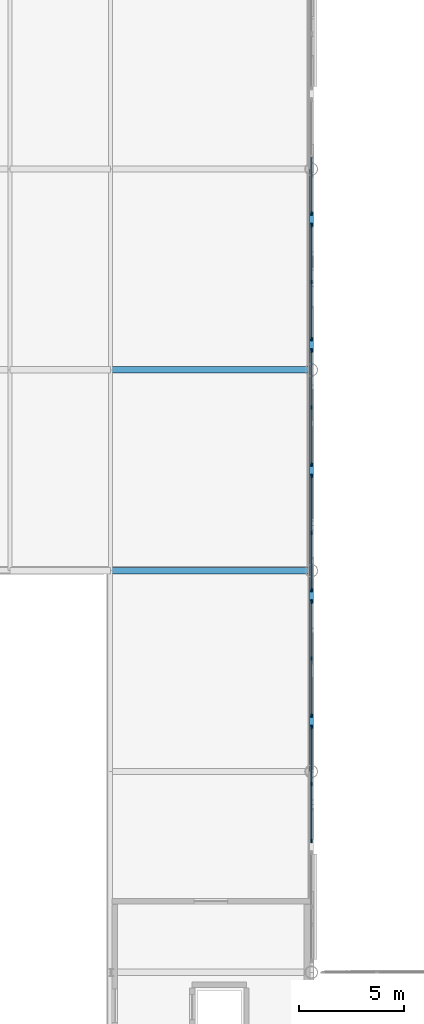
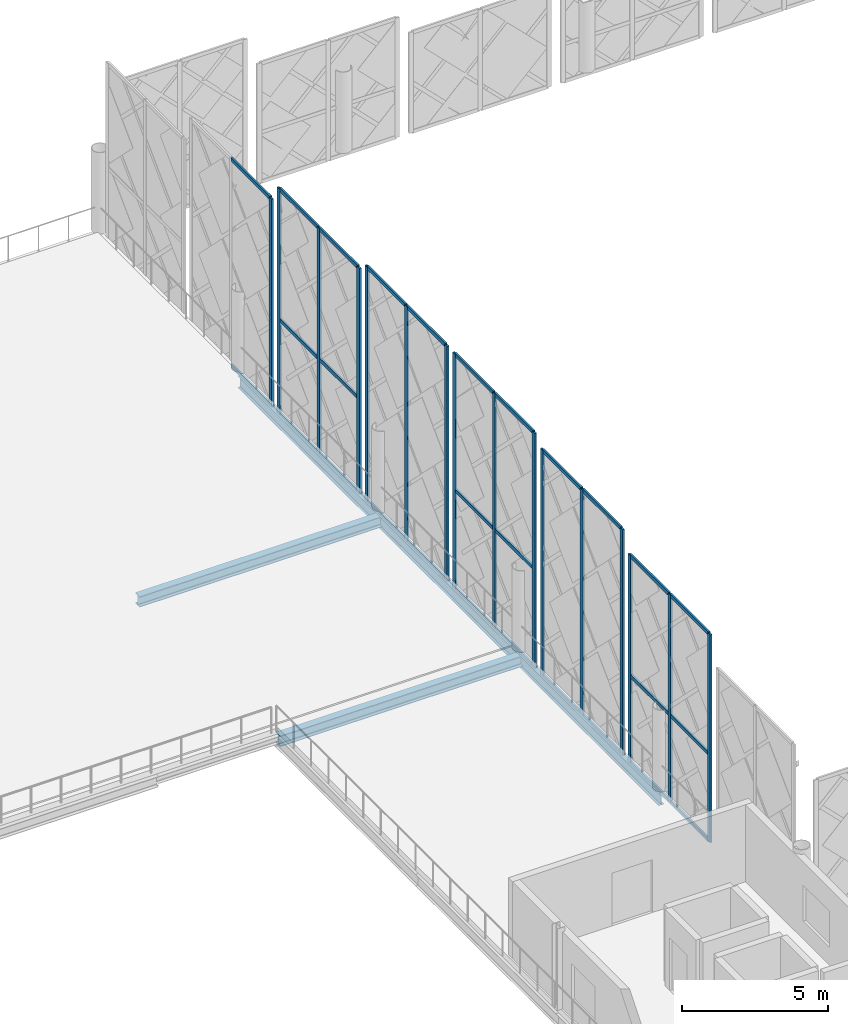
# One storey, part 20 of 53: 44 members, 5 beams, 6 elements without a shape of their own.
"""IFC4 building model written with IfcOpenShell, lengths in metres."""

from ifc_helpers import new_model, si_unit, direction, frame, origin, origin_2d, place, context, subcontext, project, spatial, rectangle, i_section, extrude, material, layer, layer_set, material_profile, profile_set, type_object, element, aggregate, save


model = new_model("IFC4")

# Units and contexts
model_context = context("Model", 3, precision=1e-05, world=origin(), true_north=direction((0.0, 1.0)))
body_context = subcontext(model_context, "Body", "Model", "MODEL_VIEW")
ifc_project = project(units=[si_unit("LENGTHUNIT", "METRE"), si_unit("AREAUNIT", "SQUARE_METRE"), si_unit("VOLUMEUNIT", "CUBIC_METRE"), si_unit("PLANEANGLEUNIT", "RADIAN"), si_unit("MASSUNIT", "GRAM", prefix="KILO")], contexts=[model_context])

# Site, building, storey
site_placement = place(None, origin())
site = spatial("IfcSite", under=ifc_project, at=site_placement, CompositionType="ELEMENT")
building_placement = place(site_placement, origin())
building = spatial("IfcBuilding", under=site, at=building_placement, Name="Zevrakil Square Congress Hotel", CompositionType="ELEMENT")
storey_placement = place(building_placement, frame((0.0, 0.0, 14.699951171875)))
storey = spatial("IfcBuildingStorey", under=building, at=storey_placement, Name="L04", CompositionType="ELEMENT", Elevation=14.699951171875)

# Beams
ifc_material_1 = material(Name="Steel S355", Category="steel")
ifc_material_profile_1 = material_profile(ifc_material_1, i_section(OverallWidth=0.300048828125, OverallDepth=0.43994140625, WebThickness=0.011474609375, FlangeThickness=0.02099609375, FilletRadius=0.027099609375, at=origin_2d()), Name="HEA 450")
ifc_profile_set_1 = profile_set([ifc_material_profile_1], Name="Steel S355")
beam_type_1 = type_object("IfcBeamType", Name="BM-HEA450", PredefinedType="BEAM", material=ifc_profile_set_1)
for number, where, z_axis, x_axis, name in (
    (1, (108.0, 84.0, -0.47998046875), (1.0, 0.0, 0.0), (0.0, 1.0, 0.0), "L04 primary girder BX-1248"),
    (2, (108.0, 93.60009765625, -0.47998046875), (1.0, 0.0, 0.0), (0.0, 1.0, 0.0), "L04 primary girder BX-1256"),
):
    element("IfcBeam", number, at=place(storey_placement, frame(where, z_axis=z_axis, x_axis=x_axis)), inside=storey, type_object=beam_type_1, Name=name, PredefinedType="BEAM", context=body_context, shape_type="SweptSolid", body=[
        extrude(i_section(OverallWidth=0.300048828125, OverallDepth=0.43994140625, WebThickness=0.011474609375, FlangeThickness=0.02099609375, FilletRadius=0.027099609375, at=origin_2d()), origin(), (0.0, 0.0, 1.0), 9.60009765625),
    ])
ifc_material_2 = material(Name="Steel S355", Category="steel")
ifc_material_profile_2 = material_profile(ifc_material_2, i_section(OverallWidth=0.199951171875, OverallDepth=0.5, WebThickness=0.01025390625, FlangeThickness=0.01611328125, FilletRadius=0.02099609375, at=origin_2d()), Name="IPE 500")
ifc_profile_set_2 = profile_set([ifc_material_profile_2], Name="Steel S355")
beam_type_2 = type_object("IfcBeamType", Name="BM-IPE500", PredefinedType="BEAM", material=ifc_profile_set_2)
for number, where, z_axis, x_axis, name in (
    (3, (117.60009765625, 74.39990234375, -0.510009765625), (0.0, 1.0, 0.0), (-1.0, 0.0, 0.0), "L04 primary girder BY-1348"),
    (4, (117.60009765625, 84.0, -0.510009765625), (0.0, 1.0, 0.0), (-1.0, 0.0, 0.0), "L04 primary girder BY-1349"),
):
    element("IfcBeam", number, at=place(storey_placement, frame(where, z_axis=z_axis, x_axis=x_axis)), inside=storey, type_object=beam_type_2, Name=name, PredefinedType="BEAM", context=body_context, shape_type="SweptSolid", body=[
        extrude(i_section(OverallWidth=0.199951171875, OverallDepth=0.5, WebThickness=0.01025390625, FlangeThickness=0.01611328125, FilletRadius=0.02099609375, at=origin_2d()), origin(), (0.0, 0.0, 1.0), 9.60009765625),
    ])
beam_placement = place(storey_placement, frame((117.60009765625, 93.60009765625, -0.510009765625), z_axis=(0.0, 1.0, 0.0), x_axis=(-1.0, 0.0, 0.0)))
element("IfcBeam", 5, at=beam_placement, inside=storey, type_object=beam_type_2, Name="L04 primary girder BY-1350", PredefinedType="BEAM", context=body_context, shape_type="SweptSolid", body=[
    extrude(i_section(OverallWidth=0.199951171875, OverallDepth=0.5, WebThickness=0.01025390625, FlangeThickness=0.01611328125, FilletRadius=0.02099609375, at=origin_2d()), origin(), (0.0, 0.0, 1.0), 9.599853515625),
])

# Curtain wall, members
ifc_material_3 = material(Name="Aluminium Anodised Bronze", Category="aluminium")
ifc_layer = layer(ifc_material_3, 0.179931640625)
ifc_layer_set = layer_set([ifc_layer], Name="Aluminium Anodised Bronze")
curtain_wall_type = type_object("IfcCurtainWallType", Name="CW-L01-560", PredefinedType="USERDEFINED", material=ifc_layer_set)
curtain_wall_1_placement = place(storey_placement, origin())
curtain_wall_1 = element("IfcCurtainWall", 6, at=curtain_wall_1_placement, inside=storey, type_object=curtain_wall_type, Name="L04 diamond curtain wall CW-L04-0068", ObjectType="GLAZED CURTAIN WALL", PredefinedType="USERDEFINED")
ifc_material_4 = material(Name="Aluminium Anodised Bronze", Category="aluminium")
ifc_material_profile_3 = material_profile(ifc_material_4, rectangle(XDim=0.074951171875, YDim=0.14990234375, at=origin_2d()), Name="ALU 75x150")
ifc_profile_set_3 = profile_set([ifc_material_profile_3], Name="Aluminium Anodised Bronze")
member_type_1 = type_object("IfcMemberType", Name="CWM-ALU75x150", PredefinedType="USERDEFINED", material=ifc_profile_set_3)
member_1_placement = place(storey_placement, frame((117.60009765625, 71.110107421875, -0.22998046875), z_axis=(0.0, 1.0, 0.0), x_axis=(-1.0, 0.0, 0.0)))
member_1 = element("IfcMember", 7, at=member_1_placement, type_object=member_type_1, Name="CW-08 transom 1.1", ObjectType="TRANSOM", PredefinedType="USERDEFINED", context=body_context, shape_type="SweptSolid", body=[
    extrude(rectangle(XDim=0.074951171875, YDim=0.14990234375, at=origin_2d()), origin(), (0.0, 0.0, 1.0), 2.659912109375),
])
member_2_placement = place(storey_placement, frame((117.60009765625, 71.110107421875, 3.385986328125), z_axis=(0.0, 1.0, 0.0), x_axis=(-1.0, 0.0, 0.0)))
member_2 = element("IfcMember", 8, at=member_2_placement, type_object=member_type_1, Name="CW-08 transom 1.2", ObjectType="TRANSOM", PredefinedType="USERDEFINED", context=body_context, shape_type="SweptSolid", body=[
    extrude(rectangle(XDim=0.074951171875, YDim=0.14990234375, at=origin_2d()), origin(), (0.0, 0.0, 1.0), 2.659912109375),
])
member_3_placement = place(storey_placement, frame((117.60009765625, 71.110107421875, 8.39111328125), z_axis=(0.0, 1.0, 0.0), x_axis=(-1.0, 0.0, 0.0)))
member_3 = element("IfcMember", 9, at=member_3_placement, type_object=member_type_1, Name="CW-08 transom 1.3", ObjectType="TRANSOM", PredefinedType="USERDEFINED", context=body_context, shape_type="SweptSolid", body=[
    extrude(rectangle(XDim=0.074951171875, YDim=0.14990234375, at=origin_2d()), origin(), (0.0, 0.0, 1.0), 2.659912109375),
])
member_4_placement = place(storey_placement, frame((117.60009765625, 73.830078125, -0.22998046875), z_axis=(0.0, 1.0, 0.0), x_axis=(-1.0, 0.0, 0.0)))
member_4 = element("IfcMember", 10, at=member_4_placement, type_object=member_type_1, Name="CW-08 transom 2.1", ObjectType="TRANSOM", PredefinedType="USERDEFINED", context=body_context, shape_type="SweptSolid", body=[
    extrude(rectangle(XDim=0.074951171875, YDim=0.14990234375, at=origin_2d()), origin(), (0.0, 0.0, 1.0), 2.659912109375),
])
member_5_placement = place(storey_placement, frame((117.60009765625, 73.830078125, 3.385986328125), z_axis=(0.0, 1.0, 0.0), x_axis=(-1.0, 0.0, 0.0)))
member_5 = element("IfcMember", 11, at=member_5_placement, type_object=member_type_1, Name="CW-08 transom 2.2", ObjectType="TRANSOM", PredefinedType="USERDEFINED", context=body_context, shape_type="SweptSolid", body=[
    extrude(rectangle(XDim=0.074951171875, YDim=0.14990234375, at=origin_2d()), origin(), (0.0, 0.0, 1.0), 2.659912109375),
])
member_6_placement = place(storey_placement, frame((117.60009765625, 73.830078125, 8.39111328125), z_axis=(0.0, 1.0, 0.0), x_axis=(-1.0, 0.0, 0.0)))
member_6 = element("IfcMember", 12, at=member_6_placement, type_object=member_type_1, Name="CW-08 transom 2.3", ObjectType="TRANSOM", PredefinedType="USERDEFINED", context=body_context, shape_type="SweptSolid", body=[
    extrude(rectangle(XDim=0.074951171875, YDim=0.14990234375, at=origin_2d()), origin(), (0.0, 0.0, 1.0), 2.659912109375),
])

curtain_wall_2_placement = place(storey_placement, origin())
curtain_wall_2 = element("IfcCurtainWall", 13, at=curtain_wall_2_placement, inside=storey, type_object=curtain_wall_type, Name="L04 diamond curtain wall CW-L04-0069", ObjectType="GLAZED CURTAIN WALL", PredefinedType="USERDEFINED")
member_7_placement = place(storey_placement, frame((117.60009765625, 77.110107421875, -0.22998046875), z_axis=(0.0, 1.0, 0.0), x_axis=(-1.0, 0.0, 0.0)))
member_7 = element("IfcMember", 14, at=member_7_placement, type_object=member_type_1, Name="CW-08 transom 1.1", ObjectType="TRANSOM", PredefinedType="USERDEFINED", context=body_context, shape_type="SweptSolid", body=[
    extrude(rectangle(XDim=0.074951171875, YDim=0.14990234375, at=origin_2d()), origin(), (0.0, 0.0, 1.0), 2.659912109375),
])
member_8_placement = place(storey_placement, frame((117.60009765625, 77.110107421875, 9.14111328125), z_axis=(0.0, 1.0, 0.0), x_axis=(-1.0, 0.0, 0.0)))
member_8 = element("IfcMember", 15, at=member_8_placement, type_object=member_type_1, Name="CW-08 transom 1.2", ObjectType="TRANSOM", PredefinedType="USERDEFINED", context=body_context, shape_type="SweptSolid", body=[
    extrude(rectangle(XDim=0.074951171875, YDim=0.14990234375, at=origin_2d()), origin(), (0.0, 0.0, 1.0), 2.659912109375),
])
member_9_placement = place(storey_placement, frame((117.60009765625, 79.830078125, -0.22998046875), z_axis=(0.0, 1.0, 0.0), x_axis=(-1.0, 0.0, 0.0)))
member_9 = element("IfcMember", 16, at=member_9_placement, type_object=member_type_1, Name="CW-08 transom 2.1", ObjectType="TRANSOM", PredefinedType="USERDEFINED", context=body_context, shape_type="SweptSolid", body=[
    extrude(rectangle(XDim=0.074951171875, YDim=0.14990234375, at=origin_2d()), origin(), (0.0, 0.0, 1.0), 2.659912109375),
])
member_10_placement = place(storey_placement, frame((117.60009765625, 79.830078125, 9.14111328125), z_axis=(0.0, 1.0, 0.0), x_axis=(-1.0, 0.0, 0.0)))
member_10 = element("IfcMember", 17, at=member_10_placement, type_object=member_type_1, Name="CW-08 transom 2.2", ObjectType="TRANSOM", PredefinedType="USERDEFINED", context=body_context, shape_type="SweptSolid", body=[
    extrude(rectangle(XDim=0.074951171875, YDim=0.14990234375, at=origin_2d()), origin(), (0.0, 0.0, 1.0), 2.659912109375),
])

curtain_wall_3_placement = place(storey_placement, origin())
curtain_wall_3 = element("IfcCurtainWall", 18, at=curtain_wall_3_placement, inside=storey, type_object=curtain_wall_type, Name="L04 diamond curtain wall CW-L04-0070", ObjectType="GLAZED CURTAIN WALL", PredefinedType="USERDEFINED")
member_11_placement = place(storey_placement, frame((117.60009765625, 83.110107421875, -0.22998046875), z_axis=(0.0, 1.0, 0.0), x_axis=(-1.0, 0.0, 0.0)))
member_11 = element("IfcMember", 19, at=member_11_placement, type_object=member_type_1, Name="CW-08 transom 1.1", ObjectType="TRANSOM", PredefinedType="USERDEFINED", context=body_context, shape_type="SweptSolid", body=[
    extrude(rectangle(XDim=0.074951171875, YDim=0.14990234375, at=origin_2d()), origin(), (0.0, 0.0, 1.0), 2.659912109375),
])
member_12_placement = place(storey_placement, frame((117.60009765625, 83.110107421875, 3.858642578125), z_axis=(0.0, 1.0, 0.0), x_axis=(-1.0, 0.0, 0.0)))
member_12 = element("IfcMember", 20, at=member_12_placement, type_object=member_type_1, Name="CW-08 transom 1.2", ObjectType="TRANSOM", PredefinedType="USERDEFINED", context=body_context, shape_type="SweptSolid", body=[
    extrude(rectangle(XDim=0.074951171875, YDim=0.14990234375, at=origin_2d()), origin(), (0.0, 0.0, 1.0), 2.659912109375),
])
member_13_placement = place(storey_placement, frame((117.60009765625, 83.110107421875, 9.51611328125), z_axis=(0.0, 1.0, 0.0), x_axis=(-1.0, 0.0, 0.0)))
member_13 = element("IfcMember", 21, at=member_13_placement, type_object=member_type_1, Name="CW-08 transom 1.3", ObjectType="TRANSOM", PredefinedType="USERDEFINED", context=body_context, shape_type="SweptSolid", body=[
    extrude(rectangle(XDim=0.074951171875, YDim=0.14990234375, at=origin_2d()), origin(), (0.0, 0.0, 1.0), 2.659912109375),
])
member_14_placement = place(storey_placement, frame((117.60009765625, 85.830078125, -0.22998046875), z_axis=(0.0, 1.0, 0.0), x_axis=(-1.0, 0.0, 0.0)))
member_14 = element("IfcMember", 22, at=member_14_placement, type_object=member_type_1, Name="CW-08 transom 2.1", ObjectType="TRANSOM", PredefinedType="USERDEFINED", context=body_context, shape_type="SweptSolid", body=[
    extrude(rectangle(XDim=0.074951171875, YDim=0.14990234375, at=origin_2d()), origin(), (0.0, 0.0, 1.0), 2.659912109375),
])
member_15_placement = place(storey_placement, frame((117.60009765625, 85.830078125, 3.858642578125), z_axis=(0.0, 1.0, 0.0), x_axis=(-1.0, 0.0, 0.0)))
member_15 = element("IfcMember", 23, at=member_15_placement, type_object=member_type_1, Name="CW-08 transom 2.2", ObjectType="TRANSOM", PredefinedType="USERDEFINED", context=body_context, shape_type="SweptSolid", body=[
    extrude(rectangle(XDim=0.074951171875, YDim=0.14990234375, at=origin_2d()), origin(), (0.0, 0.0, 1.0), 2.659912109375),
])
member_16_placement = place(storey_placement, frame((117.60009765625, 85.830078125, 9.51611328125), z_axis=(0.0, 1.0, 0.0), x_axis=(-1.0, 0.0, 0.0)))
member_16 = element("IfcMember", 24, at=member_16_placement, type_object=member_type_1, Name="CW-08 transom 2.3", ObjectType="TRANSOM", PredefinedType="USERDEFINED", context=body_context, shape_type="SweptSolid", body=[
    extrude(rectangle(XDim=0.074951171875, YDim=0.14990234375, at=origin_2d()), origin(), (0.0, 0.0, 1.0), 2.659912109375),
])

curtain_wall_4_placement = place(storey_placement, origin())
curtain_wall_4 = element("IfcCurtainWall", 25, at=curtain_wall_4_placement, inside=storey, type_object=curtain_wall_type, Name="L04 diamond curtain wall CW-L04-0071", ObjectType="GLAZED CURTAIN WALL", PredefinedType="USERDEFINED")
member_17_placement = place(storey_placement, frame((117.60009765625, 89.110107421875, -0.22998046875), z_axis=(0.0, 1.0, 0.0), x_axis=(-1.0, 0.0, 0.0)))
member_17 = element("IfcMember", 26, at=member_17_placement, type_object=member_type_1, Name="CW-08 transom 1.1", ObjectType="TRANSOM", PredefinedType="USERDEFINED", context=body_context, shape_type="SweptSolid", body=[
    extrude(rectangle(XDim=0.074951171875, YDim=0.14990234375, at=origin_2d()), origin(), (0.0, 0.0, 1.0), 2.659912109375),
])
member_18_placement = place(storey_placement, frame((117.60009765625, 89.110107421875, 9.51611328125), z_axis=(0.0, 1.0, 0.0), x_axis=(-1.0, 0.0, 0.0)))
member_18 = element("IfcMember", 27, at=member_18_placement, type_object=member_type_1, Name="CW-08 transom 1.2", ObjectType="TRANSOM", PredefinedType="USERDEFINED", context=body_context, shape_type="SweptSolid", body=[
    extrude(rectangle(XDim=0.074951171875, YDim=0.14990234375, at=origin_2d()), origin(), (0.0, 0.0, 1.0), 2.659912109375),
])
member_19_placement = place(storey_placement, frame((117.60009765625, 91.830078125, -0.22998046875), z_axis=(0.0, 1.0, 0.0), x_axis=(-1.0, 0.0, 0.0)))
member_19 = element("IfcMember", 28, at=member_19_placement, type_object=member_type_1, Name="CW-08 transom 2.1", ObjectType="TRANSOM", PredefinedType="USERDEFINED", context=body_context, shape_type="SweptSolid", body=[
    extrude(rectangle(XDim=0.074951171875, YDim=0.14990234375, at=origin_2d()), origin(), (0.0, 0.0, 1.0), 2.659912109375),
])
member_20_placement = place(storey_placement, frame((117.60009765625, 91.830078125, 9.51611328125), z_axis=(0.0, 1.0, 0.0), x_axis=(-1.0, 0.0, 0.0)))
member_20 = element("IfcMember", 29, at=member_20_placement, type_object=member_type_1, Name="CW-08 transom 2.2", ObjectType="TRANSOM", PredefinedType="USERDEFINED", context=body_context, shape_type="SweptSolid", body=[
    extrude(rectangle(XDim=0.074951171875, YDim=0.14990234375, at=origin_2d()), origin(), (0.0, 0.0, 1.0), 2.659912109375),
])

curtain_wall_5_placement = place(storey_placement, origin())
curtain_wall_5 = element("IfcCurtainWall", 30, at=curtain_wall_5_placement, inside=storey, type_object=curtain_wall_type, Name="L04 diamond curtain wall CW-L04-0072", ObjectType="GLAZED CURTAIN WALL", PredefinedType="USERDEFINED")
member_21_placement = place(storey_placement, frame((117.60009765625, 95.110107421875, -0.22998046875), z_axis=(0.0, 1.0, 0.0), x_axis=(-1.0, 0.0, 0.0)))
member_21 = element("IfcMember", 31, at=member_21_placement, type_object=member_type_1, Name="CW-08 transom 1.1", ObjectType="TRANSOM", PredefinedType="USERDEFINED", context=body_context, shape_type="SweptSolid", body=[
    extrude(rectangle(XDim=0.074951171875, YDim=0.14990234375, at=origin_2d()), origin(), (0.0, 0.0, 1.0), 2.659912109375),
])
member_22_placement = place(storey_placement, frame((117.60009765625, 95.110107421875, 3.700927734375), z_axis=(0.0, 1.0, 0.0), x_axis=(-1.0, 0.0, 0.0)))
member_22 = element("IfcMember", 32, at=member_22_placement, type_object=member_type_1, Name="CW-08 transom 1.2", ObjectType="TRANSOM", PredefinedType="USERDEFINED", context=body_context, shape_type="SweptSolid", body=[
    extrude(rectangle(XDim=0.074951171875, YDim=0.14990234375, at=origin_2d()), origin(), (0.0, 0.0, 1.0), 2.659912109375),
])
member_23_placement = place(storey_placement, frame((117.60009765625, 95.110107421875, 9.14111328125), z_axis=(0.0, 1.0, 0.0), x_axis=(-1.0, 0.0, 0.0)))
member_23 = element("IfcMember", 33, at=member_23_placement, type_object=member_type_1, Name="CW-08 transom 1.3", ObjectType="TRANSOM", PredefinedType="USERDEFINED", context=body_context, shape_type="SweptSolid", body=[
    extrude(rectangle(XDim=0.074951171875, YDim=0.14990234375, at=origin_2d()), origin(), (0.0, 0.0, 1.0), 2.659912109375),
])
member_24_placement = place(storey_placement, frame((117.60009765625, 97.830078125, -0.22998046875), z_axis=(0.0, 1.0, 0.0), x_axis=(-1.0, 0.0, 0.0)))
member_24 = element("IfcMember", 34, at=member_24_placement, type_object=member_type_1, Name="CW-08 transom 2.1", ObjectType="TRANSOM", PredefinedType="USERDEFINED", context=body_context, shape_type="SweptSolid", body=[
    extrude(rectangle(XDim=0.074951171875, YDim=0.14990234375, at=origin_2d()), origin(), (0.0, 0.0, 1.0), 2.659912109375),
])
member_25_placement = place(storey_placement, frame((117.60009765625, 97.830078125, 3.700927734375), z_axis=(0.0, 1.0, 0.0), x_axis=(-1.0, 0.0, 0.0)))
member_25 = element("IfcMember", 35, at=member_25_placement, type_object=member_type_1, Name="CW-08 transom 2.2", ObjectType="TRANSOM", PredefinedType="USERDEFINED", context=body_context, shape_type="SweptSolid", body=[
    extrude(rectangle(XDim=0.074951171875, YDim=0.14990234375, at=origin_2d()), origin(), (0.0, 0.0, 1.0), 2.659912109375),
])
member_26_placement = place(storey_placement, frame((117.60009765625, 97.830078125, 9.14111328125), z_axis=(0.0, 1.0, 0.0), x_axis=(-1.0, 0.0, 0.0)))
member_26 = element("IfcMember", 36, at=member_26_placement, type_object=member_type_1, Name="CW-08 transom 2.3", ObjectType="TRANSOM", PredefinedType="USERDEFINED", context=body_context, shape_type="SweptSolid", body=[
    extrude(rectangle(XDim=0.074951171875, YDim=0.14990234375, at=origin_2d()), origin(), (0.0, 0.0, 1.0), 2.659912109375),
])

curtain_wall_6_placement = place(storey_placement, origin())
curtain_wall_6 = element("IfcCurtainWall", 37, at=curtain_wall_6_placement, inside=storey, type_object=curtain_wall_type, Name="L04 diamond curtain wall CW-L04-0073", ObjectType="GLAZED CURTAIN WALL", PredefinedType="USERDEFINED")
member_27_placement = place(storey_placement, frame((117.60009765625, 101.110107421875, -0.22998046875), z_axis=(0.0, 1.0, 0.0), x_axis=(-1.0, 0.0, 0.0)))
member_27 = element("IfcMember", 38, at=member_27_placement, type_object=member_type_1, Name="CW-08 transom 1.1", ObjectType="TRANSOM", PredefinedType="USERDEFINED", context=body_context, shape_type="SweptSolid", body=[
    extrude(rectangle(XDim=0.074951171875, YDim=0.14990234375, at=origin_2d()), origin(), (0.0, 0.0, 1.0), 2.659912109375),
])
member_28_placement = place(storey_placement, frame((117.60009765625, 101.110107421875, 8.39111328125), z_axis=(0.0, 1.0, 0.0), x_axis=(-1.0, 0.0, 0.0)))
member_28 = element("IfcMember", 39, at=member_28_placement, type_object=member_type_1, Name="CW-08 transom 1.2", ObjectType="TRANSOM", PredefinedType="USERDEFINED", context=body_context, shape_type="SweptSolid", body=[
    extrude(rectangle(XDim=0.074951171875, YDim=0.14990234375, at=origin_2d()), origin(), (0.0, 0.0, 1.0), 2.659912109375),
])

# Member
ifc_material_5 = material(Name="Aluminium Anodised Bronze", Category="aluminium")
ifc_material_profile_4 = material_profile(ifc_material_5, rectangle(XDim=0.074951171875, YDim=0.179931640625, at=origin_2d()), Name="ALU 75x180")
ifc_profile_set_4 = profile_set([ifc_material_profile_4], Name="Aluminium Anodised Bronze")
member_type_2 = type_object("IfcMemberType", Name="CWM-ALU75x180", PredefinedType="MULLION", material=ifc_profile_set_4)
member_29_placement = place(storey_placement, frame((117.60009765625, 71.080078125, -0.260009765625), z_axis=(0.0, 0.0, 1.0), x_axis=(-1.0, 0.0, 0.0)))
member_29 = element("IfcMember", 40, at=member_29_placement, type_object=member_type_2, Name="CW-08 mullion 1", PredefinedType="MULLION", context=body_context, shape_type="SweptSolid", body=[
    extrude(rectangle(XDim=0.074951171875, YDim=0.179931640625, at=origin_2d()), origin(), (0.0, 0.0, 1.0), 8.68115234375),
])

member_30_placement = place(storey_placement, frame((117.60009765625, 73.800048828125, -0.260009765625), z_axis=(0.0, 0.0, 1.0), x_axis=(-1.0, 0.0, 0.0)))
member_30 = element("IfcMember", 41, at=member_30_placement, type_object=member_type_2, Name="CW-08 mullion 2", PredefinedType="MULLION", context=body_context, shape_type="SweptSolid", body=[
    extrude(rectangle(XDim=0.074951171875, YDim=0.179931640625, at=origin_2d()), origin(), (0.0, 0.0, 1.0), 8.68115234375),
])

member_31_placement = place(storey_placement, frame((117.60009765625, 76.52001953125, -0.260009765625), z_axis=(0.0, 0.0, 1.0), x_axis=(-1.0, 0.0, 0.0)))
member_31 = element("IfcMember", 42, at=member_31_placement, type_object=member_type_2, Name="CW-08 mullion 3", PredefinedType="MULLION", context=body_context, shape_type="SweptSolid", body=[
    extrude(rectangle(XDim=0.074951171875, YDim=0.179931640625, at=origin_2d()), origin(), (0.0, 0.0, 1.0), 8.68115234375),
])

aggregate(curtain_wall_1, [member_29, member_30, member_31, member_1, member_2, member_3, member_4, member_5, member_6])

member_32_placement = place(storey_placement, frame((117.60009765625, 77.080078125, -0.260009765625), z_axis=(0.0, 0.0, 1.0), x_axis=(-1.0, 0.0, 0.0)))
member_32 = element("IfcMember", 43, at=member_32_placement, type_object=member_type_2, Name="CW-08 mullion 1", PredefinedType="MULLION", context=body_context, shape_type="SweptSolid", body=[
    extrude(rectangle(XDim=0.074951171875, YDim=0.179931640625, at=origin_2d()), origin(), (0.0, 0.0, 1.0), 9.43115234375),
])

member_33_placement = place(storey_placement, frame((117.60009765625, 79.800048828125, -0.260009765625), z_axis=(0.0, 0.0, 1.0), x_axis=(-1.0, 0.0, 0.0)))
member_33 = element("IfcMember", 44, at=member_33_placement, type_object=member_type_2, Name="CW-08 mullion 2", PredefinedType="MULLION", context=body_context, shape_type="SweptSolid", body=[
    extrude(rectangle(XDim=0.074951171875, YDim=0.179931640625, at=origin_2d()), origin(), (0.0, 0.0, 1.0), 9.43115234375),
])

member_34_placement = place(storey_placement, frame((117.60009765625, 82.52001953125, -0.260009765625), z_axis=(0.0, 0.0, 1.0), x_axis=(-1.0, 0.0, 0.0)))
member_34 = element("IfcMember", 45, at=member_34_placement, type_object=member_type_2, Name="CW-08 mullion 3", PredefinedType="MULLION", context=body_context, shape_type="SweptSolid", body=[
    extrude(rectangle(XDim=0.074951171875, YDim=0.179931640625, at=origin_2d()), origin(), (0.0, 0.0, 1.0), 9.43115234375),
])

aggregate(curtain_wall_2, [member_32, member_33, member_34, member_7, member_8, member_9, member_10])

member_35_placement = place(storey_placement, frame((117.60009765625, 83.080078125, -0.260009765625), z_axis=(0.0, 0.0, 1.0), x_axis=(-1.0, 0.0, 0.0)))
member_35 = element("IfcMember", 46, at=member_35_placement, type_object=member_type_2, Name="CW-08 mullion 1", PredefinedType="MULLION", context=body_context, shape_type="SweptSolid", body=[
    extrude(rectangle(XDim=0.074951171875, YDim=0.179931640625, at=origin_2d()), origin(), (0.0, 0.0, 1.0), 9.80615234375),
])

member_36_placement = place(storey_placement, frame((117.60009765625, 85.800048828125, -0.260009765625), z_axis=(0.0, 0.0, 1.0), x_axis=(-1.0, 0.0, 0.0)))
member_36 = element("IfcMember", 47, at=member_36_placement, type_object=member_type_2, Name="CW-08 mullion 2", PredefinedType="MULLION", context=body_context, shape_type="SweptSolid", body=[
    extrude(rectangle(XDim=0.074951171875, YDim=0.179931640625, at=origin_2d()), origin(), (0.0, 0.0, 1.0), 9.80615234375),
])

member_37_placement = place(storey_placement, frame((117.60009765625, 88.52001953125, -0.260009765625), z_axis=(0.0, 0.0, 1.0), x_axis=(-1.0, 0.0, 0.0)))
member_37 = element("IfcMember", 48, at=member_37_placement, type_object=member_type_2, Name="CW-08 mullion 3", PredefinedType="MULLION", context=body_context, shape_type="SweptSolid", body=[
    extrude(rectangle(XDim=0.074951171875, YDim=0.179931640625, at=origin_2d()), origin(), (0.0, 0.0, 1.0), 9.80615234375),
])

aggregate(curtain_wall_3, [member_35, member_36, member_37, member_11, member_12, member_13, member_14, member_15, member_16])

member_38_placement = place(storey_placement, frame((117.60009765625, 89.080078125, -0.260009765625), z_axis=(0.0, 0.0, 1.0), x_axis=(-1.0, 0.0, 0.0)))
member_38 = element("IfcMember", 49, at=member_38_placement, type_object=member_type_2, Name="CW-08 mullion 1", PredefinedType="MULLION", context=body_context, shape_type="SweptSolid", body=[
    extrude(rectangle(XDim=0.074951171875, YDim=0.179931640625, at=origin_2d()), origin(), (0.0, 0.0, 1.0), 9.80615234375),
])

member_39_placement = place(storey_placement, frame((117.60009765625, 91.800048828125, -0.260009765625), z_axis=(0.0, 0.0, 1.0), x_axis=(-1.0, 0.0, 0.0)))
member_39 = element("IfcMember", 50, at=member_39_placement, type_object=member_type_2, Name="CW-08 mullion 2", PredefinedType="MULLION", context=body_context, shape_type="SweptSolid", body=[
    extrude(rectangle(XDim=0.074951171875, YDim=0.179931640625, at=origin_2d()), origin(), (0.0, 0.0, 1.0), 9.80615234375),
])

member_40_placement = place(storey_placement, frame((117.60009765625, 94.52001953125, -0.260009765625), z_axis=(0.0, 0.0, 1.0), x_axis=(-1.0, 0.0, 0.0)))
member_40 = element("IfcMember", 51, at=member_40_placement, type_object=member_type_2, Name="CW-08 mullion 3", PredefinedType="MULLION", context=body_context, shape_type="SweptSolid", body=[
    extrude(rectangle(XDim=0.074951171875, YDim=0.179931640625, at=origin_2d()), origin(), (0.0, 0.0, 1.0), 9.80615234375),
])

aggregate(curtain_wall_4, [member_38, member_39, member_40, member_17, member_18, member_19, member_20])

member_41_placement = place(storey_placement, frame((117.60009765625, 95.080078125, -0.260009765625), z_axis=(0.0, 0.0, 1.0), x_axis=(-1.0, 0.0, 0.0)))
member_41 = element("IfcMember", 52, at=member_41_placement, type_object=member_type_2, Name="CW-08 mullion 1", PredefinedType="MULLION", context=body_context, shape_type="SweptSolid", body=[
    extrude(rectangle(XDim=0.074951171875, YDim=0.179931640625, at=origin_2d()), origin(), (0.0, 0.0, 1.0), 9.43115234375),
])

member_42_placement = place(storey_placement, frame((117.60009765625, 97.800048828125, -0.260009765625), z_axis=(0.0, 0.0, 1.0), x_axis=(-1.0, 0.0, 0.0)))
member_42 = element("IfcMember", 53, at=member_42_placement, type_object=member_type_2, Name="CW-08 mullion 2", PredefinedType="MULLION", context=body_context, shape_type="SweptSolid", body=[
    extrude(rectangle(XDim=0.074951171875, YDim=0.179931640625, at=origin_2d()), origin(), (0.0, 0.0, 1.0), 9.43115234375),
])

member_43_placement = place(storey_placement, frame((117.60009765625, 100.52001953125, -0.260009765625), z_axis=(0.0, 0.0, 1.0), x_axis=(-1.0, 0.0, 0.0)))
member_43 = element("IfcMember", 54, at=member_43_placement, type_object=member_type_2, Name="CW-08 mullion 3", PredefinedType="MULLION", context=body_context, shape_type="SweptSolid", body=[
    extrude(rectangle(XDim=0.074951171875, YDim=0.179931640625, at=origin_2d()), origin(), (0.0, 0.0, 1.0), 9.43115234375),
])

aggregate(curtain_wall_5, [member_41, member_42, member_43, member_21, member_22, member_23, member_24, member_25, member_26])

member_44_placement = place(storey_placement, frame((117.60009765625, 101.080078125, -0.260009765625), z_axis=(0.0, 0.0, 1.0), x_axis=(-1.0, 0.0, 0.0)))
member_44 = element("IfcMember", 55, at=member_44_placement, type_object=member_type_2, Name="CW-08 mullion 1", PredefinedType="MULLION", context=body_context, shape_type="SweptSolid", body=[
    extrude(rectangle(XDim=0.074951171875, YDim=0.179931640625, at=origin_2d()), origin(), (0.0, 0.0, 1.0), 8.68115234375),
])

aggregate(curtain_wall_6, [member_44, member_27, member_28])

save(model, "model.ifc")
